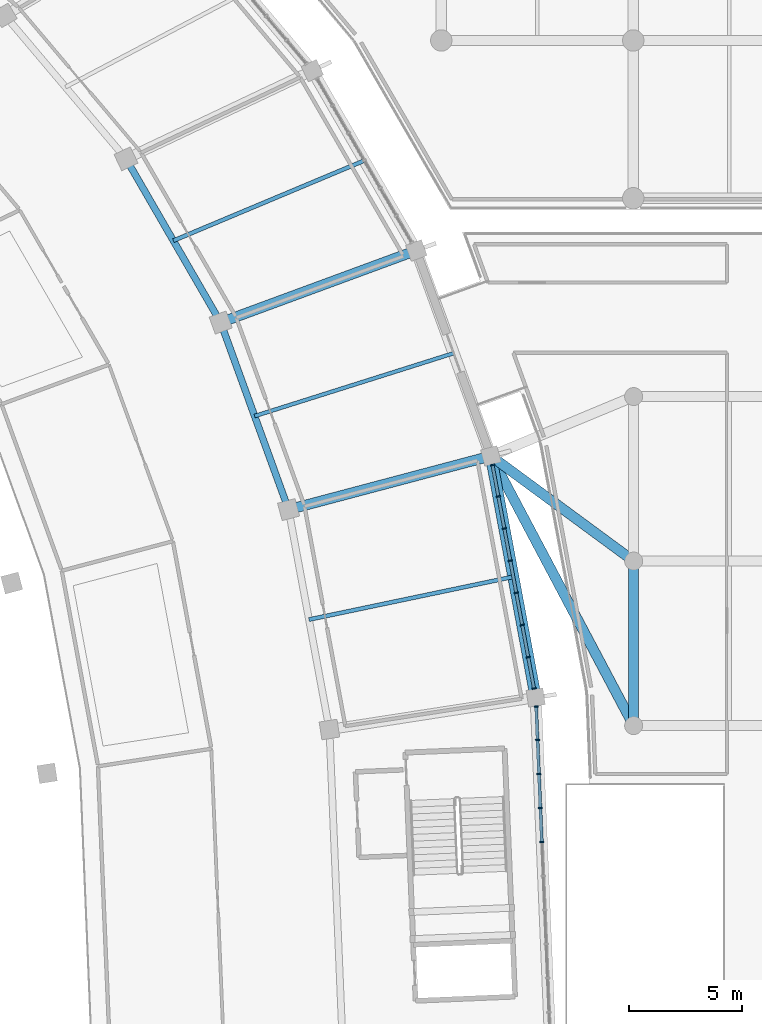
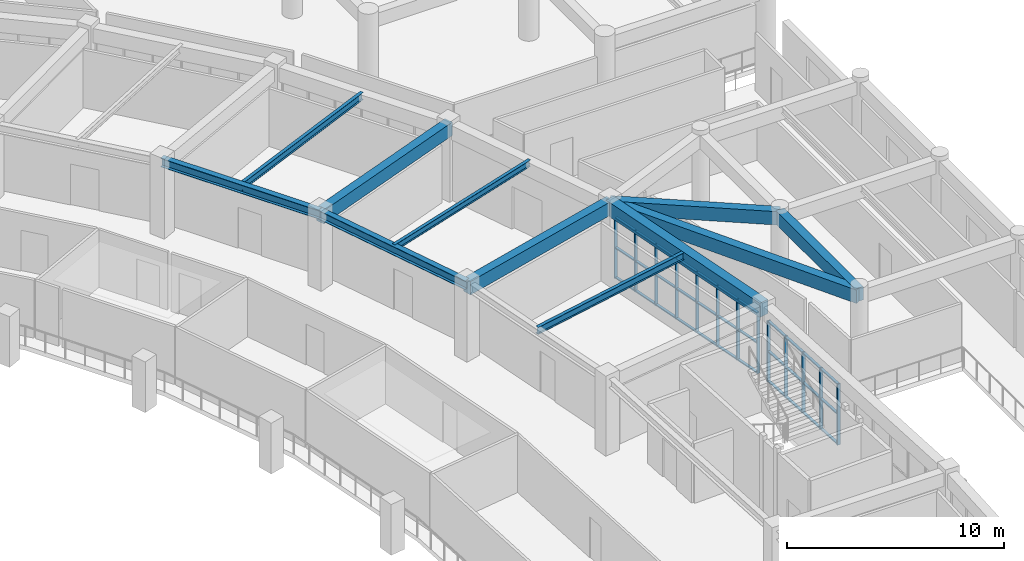
# One storey, part 46 of 141: 46 members, 11 beams, 2 elements without a shape of their own.
"""IFC4 building model written with IfcOpenShell, lengths in metres."""

from ifc_helpers import new_model, si_unit, direction, frame, origin, origin_2d, place, context, subcontext, project, spatial, rectangle, i_section, extrude, material, layer, layer_set, material_profile, profile_set, type_object, element, aggregate, save


model = new_model("IFC4")

# Units and contexts
model_context = context("Model", 3, precision=1e-05, world=origin(), true_north=direction((0.0, 1.0)))
body_context = subcontext(model_context, "Body", "Model", "MODEL_VIEW")
ifc_project = project(units=[si_unit("LENGTHUNIT", "METRE"), si_unit("AREAUNIT", "SQUARE_METRE"), si_unit("VOLUMEUNIT", "CUBIC_METRE"), si_unit("PLANEANGLEUNIT", "RADIAN"), si_unit("MASSUNIT", "GRAM", prefix="KILO")], contexts=[model_context])

# Site, building, storey
site_placement = place(None, origin())
site = spatial("IfcSite", under=ifc_project, at=site_placement, CompositionType="ELEMENT")
building_placement = place(site_placement, origin())
building = spatial("IfcBuilding", under=site, at=building_placement, Name="Mphavela Belvedere Stadium", CompositionType="ELEMENT")
storey_placement = place(building_placement, frame((0.0, 0.0, 14.699951171875)))
storey = spatial("IfcBuildingStorey", under=building, at=storey_placement, Name="L03", CompositionType="ELEMENT", Elevation=14.699951171875)

# Beams
ifc_material_1 = material(Name="Steel S355", Category="steel")
ifc_material_profile_1 = material_profile(ifc_material_1, i_section(OverallWidth=0.169921875, OverallDepth=0.360107421875, WebThickness=0.008056640625, FlangeThickness=0.0126953125, at=origin_2d()), Name="IPE 360")
ifc_profile_set_1 = profile_set([ifc_material_profile_1], Name="Steel S355")
beam_type_1 = type_object("IfcBeamType", Name="BM-JOIST-IPE360", PredefinedType="JOIST", material=ifc_profile_set_1)
beam_1_placement = place(storey_placement, frame((204.681640625, 115.3330078125, 4.070068359375), z_axis=(0.953544002003, 0.301253773826, 0.0), x_axis=(-0.301253773826, 0.953544002003, 0.0)))
element("IfcBeam", 1, at=beam_1_placement, inside=storey, type_object=beam_type_1, Name="Concourse floor joist L03-03", PredefinedType="JOIST", context=body_context, shape_type="SweptSolid", body=[
    extrude(i_section(OverallWidth=0.169921875, OverallDepth=0.360107421875, WebThickness=0.008056640625, FlangeThickness=0.0126953125, at=origin_2d()), origin(), (0.0, 0.0, 1.0), 9.259033203125),
])
ifc_material_2 = material(Name="Steel S355", Category="steel")
ifc_material_profile_2 = material_profile(ifc_material_2, i_section(OverallWidth=0.179931640625, OverallDepth=0.39990234375, WebThickness=0.008544921875, FlangeThickness=0.013427734375, at=origin_2d()), Name="IPE 400")
ifc_profile_set_2 = profile_set([ifc_material_profile_2], Name="Steel S355")
beam_type_2 = type_object("IfcBeamType", Name="BM-JOIST-IPE400", PredefinedType="JOIST", material=ifc_profile_set_2)
beam_2_placement = place(storey_placement, frame((207.09375, 106.303466796875, 4.050048828125), z_axis=(0.978734790431, 0.205129739435, 0.0), x_axis=(-0.205129739435, 0.978734790431, 0.0)))
element("IfcBeam", 2, at=beam_2_placement, inside=storey, type_object=beam_type_2, Name="Concourse floor joist L03-02", PredefinedType="JOIST", context=body_context, shape_type="SweptSolid", body=[
    extrude(i_section(OverallWidth=0.179931640625, OverallDepth=0.39990234375, WebThickness=0.008544921875, FlangeThickness=0.013427734375, at=origin_2d()), origin(), (0.0, 0.0, 1.0), 9.26318359375),
])
beam_3_placement = place(storey_placement, frame((201.07568359375, 123.116455078125, 4.050048828125), z_axis=(0.922118257552, 0.3869081533, 0.0), x_axis=(-0.3869081533, 0.922118257552, 0.0)))
element("IfcBeam", 3, at=beam_3_placement, inside=storey, type_object=beam_type_2, Name="Concourse floor joist L03-04", PredefinedType="JOIST", context=body_context, shape_type="SweptSolid", body=[
    extrude(i_section(OverallWidth=0.179931640625, OverallDepth=0.39990234375, WebThickness=0.008544921875, FlangeThickness=0.013427734375, at=origin_2d()), origin(), (0.0, 0.0, 1.0), 9.189208984375),
])
ifc_material_3 = material(Name="Concrete C40/50", Category="concrete")
ifc_material_profile_3 = material_profile(ifc_material_3, rectangle(XDim=0.449951171875, YDim=0.75, at=origin_2d()), Name="RC 450x750")
ifc_profile_set_3 = profile_set([ifc_material_profile_3], Name="Concrete C40/50")
beam_type_3 = type_object("IfcBeamType", Name="BM-RC450x750", PredefinedType="BEAM", material=ifc_profile_set_3)
beam_4_placement = place(storey_placement, frame((206.1875, 111.181884765625, 3.875), z_axis=(0.966589609073, 0.256328944196, 0.0), x_axis=(-0.256328944196, 0.966589609073, 0.0)))
element("IfcBeam", 4, at=beam_4_placement, inside=storey, type_object=beam_type_3, Name="Radial concourse girder L03 R3R4-03", PredefinedType="BEAM", context=body_context, shape_type="SweptSolid", body=[
    extrude(rectangle(XDim=0.449951171875, YDim=0.75, at=origin_2d()), origin(), (0.0, 0.0, 1.0), 9.287353515625),
])
beam_5_placement = place(storey_placement, frame((203.175537109375, 119.484375, 3.875), z_axis=(0.938348073025, 0.345691905967, 0.0), x_axis=(-0.345691905967, 0.938348073025, 0.0)))
element("IfcBeam", 5, at=beam_5_placement, inside=storey, type_object=beam_type_3, Name="Radial concourse girder L03 R3R4-04", PredefinedType="BEAM", context=body_context, shape_type="SweptSolid", body=[
    extrude(rectangle(XDim=0.449951171875, YDim=0.75, at=origin_2d()), origin(), (0.0, 0.0, 1.0), 9.2509765625),
])
beam_6_placement = place(storey_placement, frame((221.5, 101.60009765625, 3.864990234375), z_axis=(0.0, 1.0, 0.0), x_axis=(-1.0, 0.0, 0.0)))
element("IfcBeam", 6, at=beam_6_placement, inside=storey, type_object=beam_type_3, Name="East Planted Eaves Peristyle Colonnade entablature beam Y L03 8-8", PredefinedType="BEAM", context=body_context, shape_type="SweptSolid", body=[
    extrude(rectangle(XDim=0.449951171875, YDim=0.75, at=origin_2d()), origin(), (0.0, 0.0, 1.0), 7.2998046875),
])
beam_7_placement = place(storey_placement, frame((221.5, 101.60009765625, 3.864990234375), z_axis=(-0.468026930874, 0.883714202657, 0.0), x_axis=(-0.883714202657, -0.468026930874, 0.0)))
element("IfcBeam", 7, at=beam_7_placement, inside=storey, type_object=beam_type_3, Name="East Planted Eaves Peristyle Colonnade bowl link girder L03-2", PredefinedType="BEAM", context=body_context, shape_type="SweptSolid", body=[
    extrude(rectangle(XDim=0.449951171875, YDim=0.75, at=origin_2d()), origin(), (0.0, 0.0, 1.0), 13.53662109375),
])
beam_8_placement = place(storey_placement, frame((221.5, 108.89990234375, 3.864990234375), z_axis=(-0.805397383999, 0.592735230814, 0.0), x_axis=(-0.592735230814, -0.805397383999, 0.0)))
element("IfcBeam", 8, at=beam_8_placement, inside=storey, type_object=beam_type_3, Name="East Planted Eaves Peristyle Colonnade bowl link girder L03-4", PredefinedType="BEAM", context=body_context, shape_type="SweptSolid", body=[
    extrude(rectangle(XDim=0.449951171875, YDim=0.75, at=origin_2d()), origin(), (0.0, 0.0, 1.0), 7.8662109375),
])
ifc_material_4 = material(Name="Concrete C40/50", Category="concrete")
ifc_material_profile_4 = material_profile(ifc_material_4, rectangle(XDim=0.5, YDim=0.800048828125, at=origin_2d()), Name="RC 500x800")
ifc_profile_set_4 = profile_set([ifc_material_profile_4], Name="Concrete C40/50")
beam_type_4 = type_object("IfcBeamType", Name="BM-SPANDREL-800", PredefinedType="SPANDREL", material=ifc_profile_set_4)
beam_9_placement = place(storey_placement, frame((217.155517578125, 102.844970703125, 3.85009765625), z_axis=(-0.18264260648, 0.983179372393, 0.0), x_axis=(-0.983179372393, -0.18264260648, 0.0)))
element("IfcBeam", 9, at=beam_9_placement, inside=storey, type_object=beam_type_4, Name="Circumferential girder L03 R4-02", PredefinedType="SPANDREL", context=body_context, shape_type="SweptSolid", body=[
    extrude(rectangle(XDim=0.5, YDim=0.800048828125, at=origin_2d()), origin(), (0.0, 0.0, 1.0), 10.90087890625),
])
ifc_material_5 = material(Name="Steel S355", Category="steel")
ifc_material_profile_5 = material_profile(ifc_material_5, i_section(OverallWidth=0.300048828125, OverallDepth=0.489990234375, WebThickness=0.011962890625, FlangeThickness=0.02294921875, at=origin_2d()), Name="HEA 500")
ifc_profile_set_5 = profile_set([ifc_material_profile_5], Name="Steel S355")
beam_type_5 = type_object("IfcBeamType", Name="BM-STEEL-HEA500", PredefinedType="BEAM", material=ifc_profile_set_5)
beam_10_placement = place(storey_placement, frame((206.1875, 111.181884765625, 4.005126953125), z_axis=(-0.341030504348, 0.940052229987, 0.0), x_axis=(-0.940052229987, -0.341030504348, 0.0)))
element("IfcBeam", 10, at=beam_10_placement, inside=storey, type_object=beam_type_5, Name="Circumferential girder L03 R3-03", PredefinedType="BEAM", context=body_context, shape_type="SweptSolid", body=[
    extrude(i_section(OverallWidth=0.300048828125, OverallDepth=0.489990234375, WebThickness=0.011962890625, FlangeThickness=0.02294921875, at=origin_2d()), origin(), (0.0, 0.0, 1.0), 8.83203125),
])
beam_11_placement = place(storey_placement, frame((203.175537109375, 119.484375, 4.005126953125), z_axis=(-0.500547586322, 0.865709023765, 0.0), x_axis=(-0.865709023765, -0.500547586322, 0.0)))
element("IfcBeam", 11, at=beam_11_placement, inside=storey, type_object=beam_type_5, Name="Circumferential girder L03 R3-04", PredefinedType="BEAM", context=body_context, shape_type="SweptSolid", body=[
    extrude(i_section(OverallWidth=0.300048828125, OverallDepth=0.489990234375, WebThickness=0.011962890625, FlangeThickness=0.02294921875, at=origin_2d()), origin(), (0.0, 0.0, 1.0), 8.390625),
])

# Curtain wall, members
ifc_material_6 = material(Name="Anodised bronze unitised curtain wall framing")
ifc_layer_1 = layer(ifc_material_6, 0.179931640625)
ifc_layer_set_1 = layer_set([ifc_layer_1], Name="Anodised bronze unitised curtain wall framing")
curtain_wall_type_1 = type_object("IfcCurtainWallType", Name="CW-UNIT-01", PredefinedType="USERDEFINED", material=ifc_layer_set_1)
curtain_wall_1_placement = place(storey_placement, origin())
curtain_wall_1 = element("IfcCurtainWall", 12, at=curtain_wall_1_placement, inside=storey, type_object=curtain_wall_type_1, Name="Belvedere colonnade curtain wall L03-01", ObjectType="UNITISED CURTAIN WALL", PredefinedType="USERDEFINED")
ifc_material_7 = material(Name="Anodised bronze extruded aluminium", Category="aluminium")
ifc_material_profile_6 = material_profile(ifc_material_7, rectangle(XDim=0.179931640625, YDim=0.06494140625, at=origin_2d()), Name="CW-MUL 180x65")
ifc_profile_set_6 = profile_set([ifc_material_profile_6], Name="Anodised bronze extruded aluminium")
member_type_1 = type_object("IfcMemberType", Name="CWM-180x65", PredefinedType="MULLION", material=ifc_profile_set_6)
member_1_placement = place(storey_placement, frame((217.42431640625, 96.432373046875, 0.0), z_axis=(0.0, 0.0, 1.0), x_axis=(-0.999121336582, -0.041911272788, 0.0)))
member_1 = element("IfcMember", 13, at=member_1_placement, type_object=member_type_1, Name="CW-01 mullion 7", PredefinedType="MULLION", context=body_context, shape_type="SweptSolid", body=[
    extrude(rectangle(XDim=0.179931640625, YDim=0.06494140625, at=origin_2d()), origin(), (0.0, 0.0, 1.0), 3.420166015625),
])
member_2_placement = place(storey_placement, frame((217.361083984375, 97.9423828125, 0.0), z_axis=(0.0, 0.0, 1.0), x_axis=(-0.999121336582, -0.041911272788, 0.0)))
member_2 = element("IfcMember", 14, at=member_2_placement, type_object=member_type_1, Name="CW-01 mullion 8", PredefinedType="MULLION", context=body_context, shape_type="SweptSolid", body=[
    extrude(rectangle(XDim=0.179931640625, YDim=0.06494140625, at=origin_2d()), origin(), (0.0, 0.0, 1.0), 3.420166015625),
])
member_3_placement = place(storey_placement, frame((217.297607421875, 99.452392578125, 0.0), z_axis=(0.0, 0.0, 1.0), x_axis=(-0.999121336582, -0.041911272788, 0.0)))
member_3 = element("IfcMember", 15, at=member_3_placement, type_object=member_type_1, Name="CW-01 mullion 9", PredefinedType="MULLION", context=body_context, shape_type="SweptSolid", body=[
    extrude(rectangle(XDim=0.179931640625, YDim=0.06494140625, at=origin_2d()), origin(), (0.0, 0.0, 1.0), 3.420166015625),
])
member_4_placement = place(storey_placement, frame((217.234375, 100.96240234375, 0.0), z_axis=(0.0, 0.0, 1.0), x_axis=(-0.999121336582, -0.041911272788, 0.0)))
member_4 = element("IfcMember", 16, at=member_4_placement, type_object=member_type_1, Name="CW-01 mullion 10", PredefinedType="MULLION", context=body_context, shape_type="SweptSolid", body=[
    extrude(rectangle(XDim=0.179931640625, YDim=0.06494140625, at=origin_2d()), origin(), (0.0, 0.0, 1.0), 3.420166015625),
])
member_5_placement = place(storey_placement, frame((217.17236328125, 102.43994140625, 0.0), z_axis=(0.0, 0.0, 1.0), x_axis=(-0.999121336582, -0.041911272788, 0.0)))
member_5 = element("IfcMember", 17, at=member_5_placement, type_object=member_type_1, Name="CW-01 mullion 11", PredefinedType="MULLION", context=body_context, shape_type="SweptSolid", body=[
    extrude(rectangle(XDim=0.179931640625, YDim=0.06494140625, at=origin_2d()), origin(), (0.0, 0.0, 1.0), 3.420166015625),
])

ifc_material_8 = material(Name="Anodised bronze unitised curtain wall framing")
ifc_layer_2 = layer(ifc_material_8, 0.18505859375)
ifc_layer_set_2 = layer_set([ifc_layer_2], Name="Anodised bronze unitised curtain wall framing")
curtain_wall_type_2 = type_object("IfcCurtainWallType", Name="CW-UNIT-02", PredefinedType="USERDEFINED", material=ifc_layer_set_2)
curtain_wall_2_placement = place(storey_placement, origin())
curtain_wall_2 = element("IfcCurtainWall", 18, at=curtain_wall_2_placement, inside=storey, type_object=curtain_wall_type_2, Name="Belvedere colonnade curtain wall L03-02", ObjectType="UNITISED CURTAIN WALL", PredefinedType="USERDEFINED")
member_6_placement = place(storey_placement, frame((217.081298828125, 103.24365234375, 0.0), z_axis=(0.0, 0.0, 1.0), x_axis=(-0.983181487142, -0.182631222254, 0.0)))
member_6 = element("IfcMember", 19, at=member_6_placement, type_object=member_type_1, Name="CW-02 mullion 1", PredefinedType="MULLION", context=body_context, shape_type="SweptSolid", body=[
    extrude(rectangle(XDim=0.179931640625, YDim=0.06494140625, at=origin_2d()), origin(), (0.0, 0.0, 1.0), 3.420166015625),
])
member_7_placement = place(storey_placement, frame((216.822265625, 104.637939453125, 0.0), z_axis=(0.0, 0.0, 1.0), x_axis=(-0.983181487142, -0.182631222254, 0.0)))
member_7 = element("IfcMember", 20, at=member_7_placement, type_object=member_type_1, Name="CW-02 mullion 2", PredefinedType="MULLION", context=body_context, shape_type="SweptSolid", body=[
    extrude(rectangle(XDim=0.179931640625, YDim=0.06494140625, at=origin_2d()), origin(), (0.0, 0.0, 1.0), 3.420166015625),
])
member_8_placement = place(storey_placement, frame((216.557373046875, 106.064208984375, 0.0), z_axis=(0.0, 0.0, 1.0), x_axis=(-0.983181487142, -0.182631222254, 0.0)))
member_8 = element("IfcMember", 21, at=member_8_placement, type_object=member_type_1, Name="CW-02 mullion 3", PredefinedType="MULLION", context=body_context, shape_type="SweptSolid", body=[
    extrude(rectangle(XDim=0.179931640625, YDim=0.06494140625, at=origin_2d()), origin(), (0.0, 0.0, 1.0), 3.420166015625),
])
member_9_placement = place(storey_placement, frame((216.29248046875, 107.490478515625, 0.0), z_axis=(0.0, 0.0, 1.0), x_axis=(-0.983181487142, -0.182631222254, 0.0)))
member_9 = element("IfcMember", 22, at=member_9_placement, type_object=member_type_1, Name="CW-02 mullion 4", PredefinedType="MULLION", context=body_context, shape_type="SweptSolid", body=[
    extrude(rectangle(XDim=0.179931640625, YDim=0.06494140625, at=origin_2d()), origin(), (0.0, 0.0, 1.0), 3.420166015625),
])
member_10_placement = place(storey_placement, frame((216.027587890625, 108.9169921875, 0.0), z_axis=(0.0, 0.0, 1.0), x_axis=(-0.983181487142, -0.182631222254, 0.0)))
member_10 = element("IfcMember", 23, at=member_10_placement, type_object=member_type_1, Name="CW-02 mullion 5", PredefinedType="MULLION", context=body_context, shape_type="SweptSolid", body=[
    extrude(rectangle(XDim=0.179931640625, YDim=0.06494140625, at=origin_2d()), origin(), (0.0, 0.0, 1.0), 3.420166015625),
])
member_11_placement = place(storey_placement, frame((215.7626953125, 110.34326171875, 0.0), z_axis=(0.0, 0.0, 1.0), x_axis=(-0.983181487142, -0.182631222254, 0.0)))
member_11 = element("IfcMember", 24, at=member_11_placement, type_object=member_type_1, Name="CW-02 mullion 6", PredefinedType="MULLION", context=body_context, shape_type="SweptSolid", body=[
    extrude(rectangle(XDim=0.179931640625, YDim=0.06494140625, at=origin_2d()), origin(), (0.0, 0.0, 1.0), 3.420166015625),
])
member_12_placement = place(storey_placement, frame((215.49755859375, 111.76953125, 0.0), z_axis=(0.0, 0.0, 1.0), x_axis=(-0.983181487142, -0.182631222254, 0.0)))
member_12 = element("IfcMember", 25, at=member_12_placement, type_object=member_type_1, Name="CW-02 mullion 7", PredefinedType="MULLION", context=body_context, shape_type="SweptSolid", body=[
    extrude(rectangle(XDim=0.179931640625, YDim=0.06494140625, at=origin_2d()), origin(), (0.0, 0.0, 1.0), 3.420166015625),
])
member_13_placement = place(storey_placement, frame((215.238525390625, 113.163818359375, 0.0), z_axis=(0.0, 0.0, 1.0), x_axis=(-0.983181487142, -0.182631222254, 0.0)))
member_13 = element("IfcMember", 26, at=member_13_placement, type_object=member_type_1, Name="CW-02 mullion 8", PredefinedType="MULLION", context=body_context, shape_type="SweptSolid", body=[
    extrude(rectangle(XDim=0.179931640625, YDim=0.06494140625, at=origin_2d()), origin(), (0.0, 0.0, 1.0), 3.420166015625),
])

# Member
ifc_material_9 = material(Name="Anodised bronze extruded aluminium", Category="aluminium")
ifc_material_profile_7 = material_profile(ifc_material_9, rectangle(XDim=0.139892578125, YDim=0.06005859375, at=origin_2d()), Name="CW-TRN 140x60")
ifc_profile_set_7 = profile_set([ifc_material_profile_7], Name="Anodised bronze extruded aluminium")
member_type_2 = type_object("IfcMemberType", Name="CWT-140x60", PredefinedType="USERDEFINED", material=ifc_profile_set_7)
member_14_placement = place(storey_placement, frame((217.423095703125, 96.46484375, 0.030029296875), z_axis=(-0.042030742213, 0.999116317907, 0.0), x_axis=(-0.999116317907, -0.042030742213, 0.0)))
member_14 = element("IfcMember", 27, at=member_14_placement, type_object=member_type_2, Name="CW-01 transom 7.1", ObjectType="TRANSOM", PredefinedType="USERDEFINED", context=body_context, shape_type="SweptSolid", body=[
    extrude(rectangle(XDim=0.139892578125, YDim=0.06005859375, at=origin_2d()), origin(), (0.0, 0.0, 1.0), 1.4462890625),
])

member_15_placement = place(storey_placement, frame((217.423095703125, 96.46484375, 1.7099609375), z_axis=(-0.042030742213, 0.999116317907, 0.0), x_axis=(-0.999116317907, -0.042030742213, 0.0)))
member_15 = element("IfcMember", 28, at=member_15_placement, type_object=member_type_2, Name="CW-01 transom 7.2", ObjectType="TRANSOM", PredefinedType="USERDEFINED", context=body_context, shape_type="SweptSolid", body=[
    extrude(rectangle(XDim=0.139892578125, YDim=0.06005859375, at=origin_2d()), origin(), (0.0, 0.0, 1.0), 1.4462890625),
])

member_16_placement = place(storey_placement, frame((217.423095703125, 96.46484375, 3.39013671875), z_axis=(-0.042030742213, 0.999116317907, 0.0), x_axis=(-0.999116317907, -0.042030742213, 0.0)))
member_16 = element("IfcMember", 29, at=member_16_placement, type_object=member_type_2, Name="CW-01 transom 7.3", ObjectType="TRANSOM", PredefinedType="USERDEFINED", context=body_context, shape_type="SweptSolid", body=[
    extrude(rectangle(XDim=0.139892578125, YDim=0.06005859375, at=origin_2d()), origin(), (0.0, 0.0, 1.0), 1.4462890625),
])

member_17_placement = place(storey_placement, frame((217.359619140625, 97.974853515625, 0.030029296875), z_axis=(-0.041862240457, 0.999123392191, 0.0), x_axis=(-0.999123392191, -0.041862240457, 0.0)))
member_17 = element("IfcMember", 30, at=member_17_placement, type_object=member_type_2, Name="CW-01 transom 8.1", ObjectType="TRANSOM", PredefinedType="USERDEFINED", context=body_context, shape_type="SweptSolid", body=[
    extrude(rectangle(XDim=0.139892578125, YDim=0.06005859375, at=origin_2d()), origin(), (0.0, 0.0, 1.0), 1.4462890625),
])

member_18_placement = place(storey_placement, frame((217.359619140625, 97.974853515625, 1.7099609375), z_axis=(-0.041862240457, 0.999123392191, 0.0), x_axis=(-0.999123392191, -0.041862240457, 0.0)))
member_18 = element("IfcMember", 31, at=member_18_placement, type_object=member_type_2, Name="CW-01 transom 8.2", ObjectType="TRANSOM", PredefinedType="USERDEFINED", context=body_context, shape_type="SweptSolid", body=[
    extrude(rectangle(XDim=0.139892578125, YDim=0.06005859375, at=origin_2d()), origin(), (0.0, 0.0, 1.0), 1.4462890625),
])

member_19_placement = place(storey_placement, frame((217.359619140625, 97.974853515625, 3.39013671875), z_axis=(-0.041862240457, 0.999123392191, 0.0), x_axis=(-0.999123392191, -0.041862240457, 0.0)))
member_19 = element("IfcMember", 32, at=member_19_placement, type_object=member_type_2, Name="CW-01 transom 8.3", ObjectType="TRANSOM", PredefinedType="USERDEFINED", context=body_context, shape_type="SweptSolid", body=[
    extrude(rectangle(XDim=0.139892578125, YDim=0.06005859375, at=origin_2d()), origin(), (0.0, 0.0, 1.0), 1.4462890625),
])

member_20_placement = place(storey_placement, frame((217.29638671875, 99.48486328125, 0.030029296875), z_axis=(-0.042030742213, 0.999116317907, 0.0), x_axis=(-0.999116317907, -0.042030742213, 0.0)))
member_20 = element("IfcMember", 33, at=member_20_placement, type_object=member_type_2, Name="CW-01 transom 9.1", ObjectType="TRANSOM", PredefinedType="USERDEFINED", context=body_context, shape_type="SweptSolid", body=[
    extrude(rectangle(XDim=0.139892578125, YDim=0.06005859375, at=origin_2d()), origin(), (0.0, 0.0, 1.0), 1.4462890625),
])

member_21_placement = place(storey_placement, frame((217.29638671875, 99.48486328125, 1.7099609375), z_axis=(-0.042030742213, 0.999116317907, 0.0), x_axis=(-0.999116317907, -0.042030742213, 0.0)))
member_21 = element("IfcMember", 34, at=member_21_placement, type_object=member_type_2, Name="CW-01 transom 9.2", ObjectType="TRANSOM", PredefinedType="USERDEFINED", context=body_context, shape_type="SweptSolid", body=[
    extrude(rectangle(XDim=0.139892578125, YDim=0.06005859375, at=origin_2d()), origin(), (0.0, 0.0, 1.0), 1.4462890625),
])

member_22_placement = place(storey_placement, frame((217.29638671875, 99.48486328125, 3.39013671875), z_axis=(-0.042030742213, 0.999116317907, 0.0), x_axis=(-0.999116317907, -0.042030742213, 0.0)))
member_22 = element("IfcMember", 35, at=member_22_placement, type_object=member_type_2, Name="CW-01 transom 9.3", ObjectType="TRANSOM", PredefinedType="USERDEFINED", context=body_context, shape_type="SweptSolid", body=[
    extrude(rectangle(XDim=0.139892578125, YDim=0.06005859375, at=origin_2d()), origin(), (0.0, 0.0, 1.0), 1.4462890625),
])

member_23_placement = place(storey_placement, frame((217.23291015625, 100.994873046875, 0.030029296875), z_axis=(-0.041788559858, 0.999126476611, 0.0), x_axis=(-0.999126476611, -0.041788559858, 0.0)))
member_23 = element("IfcMember", 36, at=member_23_placement, type_object=member_type_2, Name="CW-01 transom 10.1", ObjectType="TRANSOM", PredefinedType="USERDEFINED", context=body_context, shape_type="SweptSolid", body=[
    extrude(rectangle(XDim=0.139892578125, YDim=0.06005859375, at=origin_2d()), origin(), (0.0, 0.0, 1.0), 1.413818359375),
])

member_24_placement = place(storey_placement, frame((217.23291015625, 100.994873046875, 1.7099609375), z_axis=(-0.041788559858, 0.999126476611, 0.0), x_axis=(-0.999126476611, -0.041788559858, 0.0)))
member_24 = element("IfcMember", 37, at=member_24_placement, type_object=member_type_2, Name="CW-01 transom 10.2", ObjectType="TRANSOM", PredefinedType="USERDEFINED", context=body_context, shape_type="SweptSolid", body=[
    extrude(rectangle(XDim=0.139892578125, YDim=0.06005859375, at=origin_2d()), origin(), (0.0, 0.0, 1.0), 1.413818359375),
])

member_25_placement = place(storey_placement, frame((217.23291015625, 100.994873046875, 3.39013671875), z_axis=(-0.041788559858, 0.999126476611, 0.0), x_axis=(-0.999126476611, -0.041788559858, 0.0)))
member_25 = element("IfcMember", 38, at=member_25_placement, type_object=member_type_2, Name="CW-01 transom 10.3", ObjectType="TRANSOM", PredefinedType="USERDEFINED", context=body_context, shape_type="SweptSolid", body=[
    extrude(rectangle(XDim=0.139892578125, YDim=0.06005859375, at=origin_2d()), origin(), (0.0, 0.0, 1.0), 1.413818359375),
])

aggregate(curtain_wall_1, [member_1, member_2, member_3, member_4, member_5, member_14, member_15, member_16, member_17, member_18, member_19, member_20, member_21, member_22, member_23, member_24, member_25])

member_26_placement = place(storey_placement, frame((217.075439453125, 103.275634765625, 0.030029296875), z_axis=(-0.182599668928, 0.983187347817, 0.0), x_axis=(-0.983187347817, -0.182599668928, 0.0)))
member_26 = element("IfcMember", 39, at=member_26_placement, type_object=member_type_2, Name="CW-02 transom 1.1", ObjectType="TRANSOM", PredefinedType="USERDEFINED", context=body_context, shape_type="SweptSolid", body=[
    extrude(rectangle(XDim=0.139892578125, YDim=0.06005859375, at=origin_2d()), origin(), (0.0, 0.0, 1.0), 1.35302734375),
])

member_27_placement = place(storey_placement, frame((217.075439453125, 103.275634765625, 1.7099609375), z_axis=(-0.182599668928, 0.983187347817, 0.0), x_axis=(-0.983187347817, -0.182599668928, 0.0)))
member_27 = element("IfcMember", 40, at=member_27_placement, type_object=member_type_2, Name="CW-02 transom 1.2", ObjectType="TRANSOM", PredefinedType="USERDEFINED", context=body_context, shape_type="SweptSolid", body=[
    extrude(rectangle(XDim=0.139892578125, YDim=0.06005859375, at=origin_2d()), origin(), (0.0, 0.0, 1.0), 1.35302734375),
])

member_28_placement = place(storey_placement, frame((217.075439453125, 103.275634765625, 3.39013671875), z_axis=(-0.182599668928, 0.983187347817, 0.0), x_axis=(-0.983187347817, -0.182599668928, 0.0)))
member_28 = element("IfcMember", 41, at=member_28_placement, type_object=member_type_2, Name="CW-02 transom 1.3", ObjectType="TRANSOM", PredefinedType="USERDEFINED", context=body_context, shape_type="SweptSolid", body=[
    extrude(rectangle(XDim=0.139892578125, YDim=0.06005859375, at=origin_2d()), origin(), (0.0, 0.0, 1.0), 1.35302734375),
])

member_29_placement = place(storey_placement, frame((216.81640625, 104.669921875, 0.030029296875), z_axis=(-0.182713849827, 0.983166135036, 0.0), x_axis=(-0.983166135036, -0.182713849827, 0.0)))
member_29 = element("IfcMember", 42, at=member_29_placement, type_object=member_type_2, Name="CW-02 transom 2.1", ObjectType="TRANSOM", PredefinedType="USERDEFINED", context=body_context, shape_type="SweptSolid", body=[
    extrude(rectangle(XDim=0.139892578125, YDim=0.06005859375, at=origin_2d()), origin(), (0.0, 0.0, 1.0), 1.3857421875),
])

member_30_placement = place(storey_placement, frame((216.81640625, 104.669921875, 1.7099609375), z_axis=(-0.182713849827, 0.983166135036, 0.0), x_axis=(-0.983166135036, -0.182713849827, 0.0)))
member_30 = element("IfcMember", 43, at=member_30_placement, type_object=member_type_2, Name="CW-02 transom 2.2", ObjectType="TRANSOM", PredefinedType="USERDEFINED", context=body_context, shape_type="SweptSolid", body=[
    extrude(rectangle(XDim=0.139892578125, YDim=0.06005859375, at=origin_2d()), origin(), (0.0, 0.0, 1.0), 1.3857421875),
])

member_31_placement = place(storey_placement, frame((216.81640625, 104.669921875, 3.39013671875), z_axis=(-0.182713849827, 0.983166135036, 0.0), x_axis=(-0.983166135036, -0.182713849827, 0.0)))
member_31 = element("IfcMember", 44, at=member_31_placement, type_object=member_type_2, Name="CW-02 transom 2.3", ObjectType="TRANSOM", PredefinedType="USERDEFINED", context=body_context, shape_type="SweptSolid", body=[
    extrude(rectangle(XDim=0.139892578125, YDim=0.06005859375, at=origin_2d()), origin(), (0.0, 0.0, 1.0), 1.3857421875),
])

member_32_placement = place(storey_placement, frame((216.551513671875, 106.09619140625, 0.030029296875), z_axis=(-0.182682203947, 0.983172015652, 0.0), x_axis=(-0.983172015652, -0.182682203947, 0.0)))
member_32 = element("IfcMember", 45, at=member_32_placement, type_object=member_type_2, Name="CW-02 transom 3.1", ObjectType="TRANSOM", PredefinedType="USERDEFINED", context=body_context, shape_type="SweptSolid", body=[
    extrude(rectangle(XDim=0.139892578125, YDim=0.06005859375, at=origin_2d()), origin(), (0.0, 0.0, 1.0), 1.385986328125),
])

member_33_placement = place(storey_placement, frame((216.551513671875, 106.09619140625, 1.7099609375), z_axis=(-0.182682203947, 0.983172015652, 0.0), x_axis=(-0.983172015652, -0.182682203947, 0.0)))
member_33 = element("IfcMember", 46, at=member_33_placement, type_object=member_type_2, Name="CW-02 transom 3.2", ObjectType="TRANSOM", PredefinedType="USERDEFINED", context=body_context, shape_type="SweptSolid", body=[
    extrude(rectangle(XDim=0.139892578125, YDim=0.06005859375, at=origin_2d()), origin(), (0.0, 0.0, 1.0), 1.385986328125),
])

member_34_placement = place(storey_placement, frame((216.551513671875, 106.09619140625, 3.39013671875), z_axis=(-0.182682203947, 0.983172015652, 0.0), x_axis=(-0.983172015652, -0.182682203947, 0.0)))
member_34 = element("IfcMember", 47, at=member_34_placement, type_object=member_type_2, Name="CW-02 transom 3.3", ObjectType="TRANSOM", PredefinedType="USERDEFINED", context=body_context, shape_type="SweptSolid", body=[
    extrude(rectangle(XDim=0.139892578125, YDim=0.06005859375, at=origin_2d()), origin(), (0.0, 0.0, 1.0), 1.385986328125),
])

member_35_placement = place(storey_placement, frame((216.28662109375, 107.5224609375, 0.030029296875), z_axis=(-0.182682203947, 0.983172015652, 0.0), x_axis=(-0.983172015652, -0.182682203947, 0.0)))
member_35 = element("IfcMember", 48, at=member_35_placement, type_object=member_type_2, Name="CW-02 transom 4.1", ObjectType="TRANSOM", PredefinedType="USERDEFINED", context=body_context, shape_type="SweptSolid", body=[
    extrude(rectangle(XDim=0.139892578125, YDim=0.06005859375, at=origin_2d()), origin(), (0.0, 0.0, 1.0), 1.385986328125),
])

member_36_placement = place(storey_placement, frame((216.28662109375, 107.5224609375, 1.7099609375), z_axis=(-0.182682203947, 0.983172015652, 0.0), x_axis=(-0.983172015652, -0.182682203947, 0.0)))
member_36 = element("IfcMember", 49, at=member_36_placement, type_object=member_type_2, Name="CW-02 transom 4.2", ObjectType="TRANSOM", PredefinedType="USERDEFINED", context=body_context, shape_type="SweptSolid", body=[
    extrude(rectangle(XDim=0.139892578125, YDim=0.06005859375, at=origin_2d()), origin(), (0.0, 0.0, 1.0), 1.385986328125),
])

member_37_placement = place(storey_placement, frame((216.28662109375, 107.5224609375, 3.39013671875), z_axis=(-0.182682203947, 0.983172015652, 0.0), x_axis=(-0.983172015652, -0.182682203947, 0.0)))
member_37 = element("IfcMember", 50, at=member_37_placement, type_object=member_type_2, Name="CW-02 transom 4.3", ObjectType="TRANSOM", PredefinedType="USERDEFINED", context=body_context, shape_type="SweptSolid", body=[
    extrude(rectangle(XDim=0.139892578125, YDim=0.06005859375, at=origin_2d()), origin(), (0.0, 0.0, 1.0), 1.385986328125),
])

member_38_placement = place(storey_placement, frame((216.021484375, 108.948974609375, 0.030029296875), z_axis=(-0.182543529101, 0.983197772568, 0.0), x_axis=(-0.983197772568, -0.182543529101, 0.0)))
member_38 = element("IfcMember", 51, at=member_38_placement, type_object=member_type_2, Name="CW-02 transom 5.1", ObjectType="TRANSOM", PredefinedType="USERDEFINED", context=body_context, shape_type="SweptSolid", body=[
    extrude(rectangle(XDim=0.139892578125, YDim=0.06005859375, at=origin_2d()), origin(), (0.0, 0.0, 1.0), 1.385498046875),
])

member_39_placement = place(storey_placement, frame((216.021484375, 108.948974609375, 1.7099609375), z_axis=(-0.182543529101, 0.983197772568, 0.0), x_axis=(-0.983197772568, -0.182543529101, 0.0)))
member_39 = element("IfcMember", 52, at=member_39_placement, type_object=member_type_2, Name="CW-02 transom 5.2", ObjectType="TRANSOM", PredefinedType="USERDEFINED", context=body_context, shape_type="SweptSolid", body=[
    extrude(rectangle(XDim=0.139892578125, YDim=0.06005859375, at=origin_2d()), origin(), (0.0, 0.0, 1.0), 1.385498046875),
])

member_40_placement = place(storey_placement, frame((216.021484375, 108.948974609375, 3.39013671875), z_axis=(-0.182543529101, 0.983197772568, 0.0), x_axis=(-0.983197772568, -0.182543529101, 0.0)))
member_40 = element("IfcMember", 53, at=member_40_placement, type_object=member_type_2, Name="CW-02 transom 5.3", ObjectType="TRANSOM", PredefinedType="USERDEFINED", context=body_context, shape_type="SweptSolid", body=[
    extrude(rectangle(XDim=0.139892578125, YDim=0.06005859375, at=origin_2d()), origin(), (0.0, 0.0, 1.0), 1.385498046875),
])

member_41_placement = place(storey_placement, frame((215.756591796875, 110.375244140625, 0.030029296875), z_axis=(-0.182543529101, 0.983197772568, 0.0), x_axis=(-0.983197772568, -0.182543529101, 0.0)))
member_41 = element("IfcMember", 54, at=member_41_placement, type_object=member_type_2, Name="CW-02 transom 6.1", ObjectType="TRANSOM", PredefinedType="USERDEFINED", context=body_context, shape_type="SweptSolid", body=[
    extrude(rectangle(XDim=0.139892578125, YDim=0.06005859375, at=origin_2d()), origin(), (0.0, 0.0, 1.0), 1.385498046875),
])

member_42_placement = place(storey_placement, frame((215.756591796875, 110.375244140625, 1.7099609375), z_axis=(-0.182543529101, 0.983197772568, 0.0), x_axis=(-0.983197772568, -0.182543529101, 0.0)))
member_42 = element("IfcMember", 55, at=member_42_placement, type_object=member_type_2, Name="CW-02 transom 6.2", ObjectType="TRANSOM", PredefinedType="USERDEFINED", context=body_context, shape_type="SweptSolid", body=[
    extrude(rectangle(XDim=0.139892578125, YDim=0.06005859375, at=origin_2d()), origin(), (0.0, 0.0, 1.0), 1.385498046875),
])

member_43_placement = place(storey_placement, frame((215.756591796875, 110.375244140625, 3.39013671875), z_axis=(-0.182543529101, 0.983197772568, 0.0), x_axis=(-0.983197772568, -0.182543529101, 0.0)))
member_43 = element("IfcMember", 56, at=member_43_placement, type_object=member_type_2, Name="CW-02 transom 6.3", ObjectType="TRANSOM", PredefinedType="USERDEFINED", context=body_context, shape_type="SweptSolid", body=[
    extrude(rectangle(XDim=0.139892578125, YDim=0.06005859375, at=origin_2d()), origin(), (0.0, 0.0, 1.0), 1.385498046875),
])

member_44_placement = place(storey_placement, frame((215.49169921875, 111.801513671875, 0.030029296875), z_axis=(-0.182599668928, 0.983187347817, 0.0), x_axis=(-0.983187347817, -0.182599668928, 0.0)))
member_44 = element("IfcMember", 57, at=member_44_placement, type_object=member_type_2, Name="CW-02 transom 7.1", ObjectType="TRANSOM", PredefinedType="USERDEFINED", context=body_context, shape_type="SweptSolid", body=[
    extrude(rectangle(XDim=0.139892578125, YDim=0.06005859375, at=origin_2d()), origin(), (0.0, 0.0, 1.0), 1.35302734375),
])

member_45_placement = place(storey_placement, frame((215.49169921875, 111.801513671875, 1.7099609375), z_axis=(-0.182599668928, 0.983187347817, 0.0), x_axis=(-0.983187347817, -0.182599668928, 0.0)))
member_45 = element("IfcMember", 58, at=member_45_placement, type_object=member_type_2, Name="CW-02 transom 7.2", ObjectType="TRANSOM", PredefinedType="USERDEFINED", context=body_context, shape_type="SweptSolid", body=[
    extrude(rectangle(XDim=0.139892578125, YDim=0.06005859375, at=origin_2d()), origin(), (0.0, 0.0, 1.0), 1.35302734375),
])

member_46_placement = place(storey_placement, frame((215.49169921875, 111.801513671875, 3.39013671875), z_axis=(-0.182599668928, 0.983187347817, 0.0), x_axis=(-0.983187347817, -0.182599668928, 0.0)))
member_46 = element("IfcMember", 59, at=member_46_placement, type_object=member_type_2, Name="CW-02 transom 7.3", ObjectType="TRANSOM", PredefinedType="USERDEFINED", context=body_context, shape_type="SweptSolid", body=[
    extrude(rectangle(XDim=0.139892578125, YDim=0.06005859375, at=origin_2d()), origin(), (0.0, 0.0, 1.0), 1.35302734375),
])

aggregate(curtain_wall_2, [member_6, member_7, member_8, member_9, member_10, member_11, member_12, member_13, member_26, member_27, member_28, member_29, member_30, member_31, member_32, member_33, member_34, member_35, member_36, member_37, member_38, member_39, member_40, member_41, member_42, member_43, member_44, member_45, member_46])

save(model, "model.ifc")
